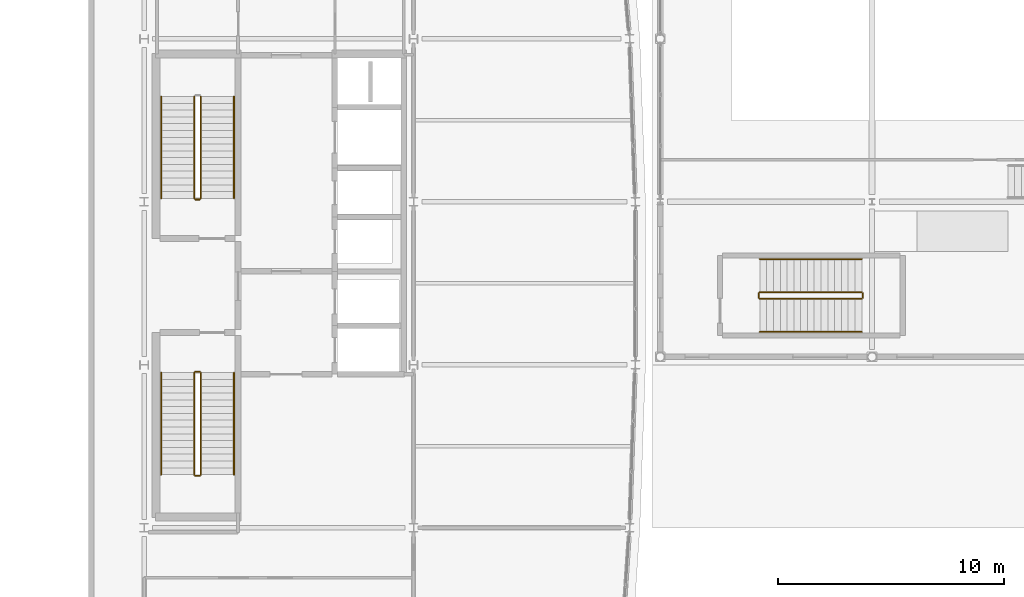
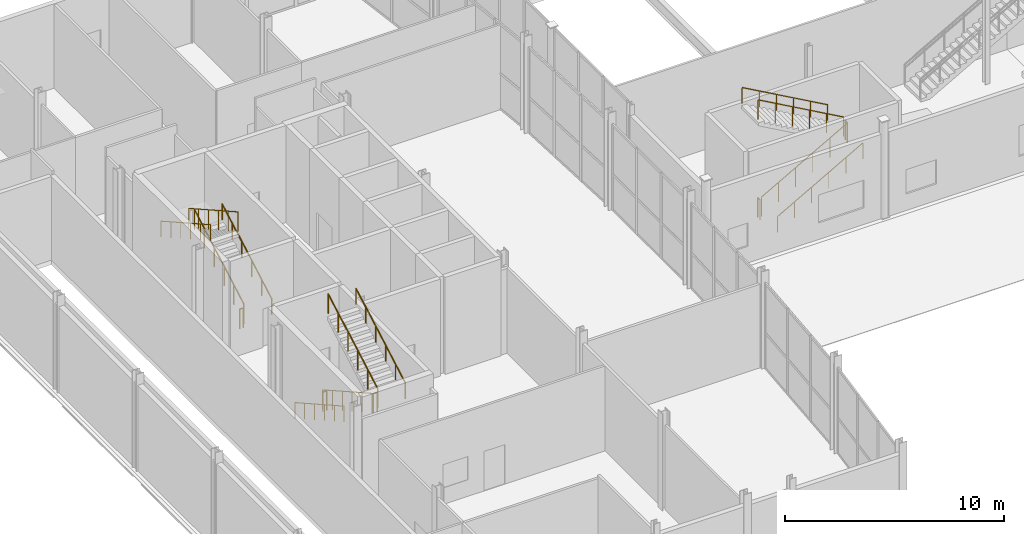
# One storey, part 79 of 83: 17 railings.
"""IFC4 building model written with IfcOpenShell, lengths in metres."""

from ifc_helpers import new_model, si_unit, direction, frame, origin, origin_2d, place, context, subcontext, project, spatial, circle, extrude, material, type_object, element, save


model = new_model("IFC4")

# Units and contexts
model_context = context("Model", 3, precision=1e-05, world=origin(), true_north=direction((0.0, 1.0)))
body_context = subcontext(model_context, "Body", "Model", "MODEL_VIEW")
ifc_project = project(units=[si_unit("LENGTHUNIT", "METRE"), si_unit("AREAUNIT", "SQUARE_METRE"), si_unit("VOLUMEUNIT", "CUBIC_METRE"), si_unit("PLANEANGLEUNIT", "RADIAN"), si_unit("MASSUNIT", "GRAM", prefix="KILO")], contexts=[model_context])

# Site, building, storey
site_placement = place(None, origin())
site = spatial("IfcSite", under=ifc_project, at=site_placement, CompositionType="ELEMENT")
building_placement = place(site_placement, origin())
building = spatial("IfcBuilding", under=site, at=building_placement, Name="Quillay Park Conservatory", CompositionType="ELEMENT")
storey_placement = place(building_placement, origin())
storey = spatial("IfcBuildingStorey", under=building, at=storey_placement, Name="L00", CompositionType="ELEMENT", Elevation=0.0)

# Railings
ifc_material_1 = material(Name="Steel S355J2H", Category="steel")
railing_type_1 = type_object("IfcRailingType", Name="STAIR WALL HANDRAIL 900", PredefinedType="HANDRAIL", material=ifc_material_1)
railing_1_placement = place(storey_placement, frame((11.820068359375, 92.550048828125, 0.168701171875)))
element("IfcRailing", 1, at=railing_1_placement, inside=storey, type_object=railing_type_1, Name="L00 ST-T1 stair handrail 1", PredefinedType="HANDRAIL", context=body_context, shape_type="SweptSolid", body=[
    extrude(circle(Radius=0.02392578125, at=origin_2d()), frame((0.0, 0.0, 0.8759765625), z_axis=(0.0, 0.871575537125, 0.490261239633), x_axis=(-1.0, 0.0, 0.0)), (0.0, 0.0, 1.0), 5.1630859375),
    extrude(circle(Radius=0.02099609375, at=origin_2d()), origin(), (0.0, 0.0, 1.0), 0.851806640625),
    extrude(circle(Radius=0.02099609375, at=origin_2d()), frame((0.0, 0.89990234375, 0.50634765625)), (0.0, 0.0, 1.0), 0.851806640625),
    extrude(circle(Radius=0.02099609375, at=origin_2d()), frame((0.0, 1.800048828125, 1.012451171875)), (0.0, 0.0, 1.0), 0.851806640625),
    extrude(circle(Radius=0.02099609375, at=origin_2d()), frame((0.0, 2.699951171875, 1.518798828125)), (0.0, 0.0, 1.0), 0.851806640625),
    extrude(circle(Radius=0.02099609375, at=origin_2d()), frame((0.0, 3.60009765625, 2.02490234375)), (0.0, 0.0, 1.0), 0.851806640625),
    extrude(circle(Radius=0.02099609375, at=origin_2d()), frame((0.0, 4.5, 2.53125)), (0.0, 0.0, 1.0), 0.851806640625),
])
for number, where, name in (
    (2, (8.60009765625, 97.050048828125, 2.86865234375), "L00 ST-T1 stair handrail 2"),
    (3, (8.60009765625, 84.85009765625, 0.168701171875), "L00 ST-T2 stair handrail 1"),
):
    element("IfcRailing", number, at=place(storey_placement, frame(where)), inside=storey, type_object=railing_type_1, Name=name, PredefinedType="HANDRAIL", context=body_context, shape_type="SweptSolid", body=[
        extrude(circle(Radius=0.02392578125, at=origin_2d()), frame((0.0, 0.0, 0.8759765625), z_axis=(0.0, -0.871575537125, 0.490261239633), x_axis=(1.0, 0.0, 0.0)), (0.0, 0.0, 1.0), 5.1630859375),
        extrude(circle(Radius=0.02099609375, at=origin_2d()), origin(), (0.0, 0.0, 1.0), 0.851806640625),
        extrude(circle(Radius=0.02099609375, at=origin_2d()), frame((0.0, -0.89990234375, 0.50634765625)), (0.0, 0.0, 1.0), 0.851806640625),
        extrude(circle(Radius=0.02099609375, at=origin_2d()), frame((0.0, -1.800048828125, 1.012451171875)), (0.0, 0.0, 1.0), 0.851806640625),
        extrude(circle(Radius=0.02099609375, at=origin_2d()), frame((0.0, -2.699951171875, 1.518798828125)), (0.0, 0.0, 1.0), 0.851806640625),
        extrude(circle(Radius=0.02099609375, at=origin_2d()), frame((0.0, -3.60009765625, 2.02490234375)), (0.0, 0.0, 1.0), 0.851806640625),
        extrude(circle(Radius=0.02099609375, at=origin_2d()), frame((0.0, -4.5, 2.53125)), (0.0, 0.0, 1.0), 0.851806640625),
    ])
railing_2_placement = place(storey_placement, frame((11.820068359375, 80.35009765625, 2.86865234375)))
element("IfcRailing", 4, at=railing_2_placement, inside=storey, type_object=railing_type_1, Name="L00 ST-T2 stair handrail 2", PredefinedType="HANDRAIL", context=body_context, shape_type="SweptSolid", body=[
    extrude(circle(Radius=0.02392578125, at=origin_2d()), frame((0.0, 0.0, 0.8759765625), z_axis=(0.0, 0.871575537125, 0.490261239633), x_axis=(-1.0, 0.0, 0.0)), (0.0, 0.0, 1.0), 5.1630859375),
    extrude(circle(Radius=0.02099609375, at=origin_2d()), origin(), (0.0, 0.0, 1.0), 0.851806640625),
    extrude(circle(Radius=0.02099609375, at=origin_2d()), frame((0.0, 0.89990234375, 0.50634765625)), (0.0, 0.0, 1.0), 0.851806640625),
    extrude(circle(Radius=0.02099609375, at=origin_2d()), frame((0.0, 1.800048828125, 1.012451171875)), (0.0, 0.0, 1.0), 0.851806640625),
    extrude(circle(Radius=0.02099609375, at=origin_2d()), frame((0.0, 2.699951171875, 1.518798828125)), (0.0, 0.0, 1.0), 0.851806640625),
    extrude(circle(Radius=0.02099609375, at=origin_2d()), frame((0.0, 3.60009765625, 2.02490234375)), (0.0, 0.0, 1.0), 0.851806640625),
    extrude(circle(Radius=0.02099609375, at=origin_2d()), frame((0.0, 4.5, 2.53125)), (0.0, 0.0, 1.0), 0.851806640625),
])
railing_3_placement = place(storey_placement, frame((35.050048828125, 86.64990234375, 0.168701171875)))
element("IfcRailing", 5, at=railing_3_placement, inside=storey, type_object=railing_type_1, Name="L00 ST-C1 stair handrail 1", PredefinedType="HANDRAIL", context=body_context, shape_type="SweptSolid", body=[
    extrude(circle(Radius=0.02392578125, at=origin_2d()), frame((0.0, 0.0, 0.8759765625), z_axis=(0.871575537125, 0.0, 0.490261239633), x_axis=(0.0, 1.0, 0.0)), (0.0, 0.0, 1.0), 5.1630859375),
    extrude(circle(Radius=0.02099609375, at=origin_2d()), origin(), (0.0, 0.0, 1.0), 0.851806640625),
    extrude(circle(Radius=0.02099609375, at=origin_2d()), frame((0.89990234375, 0.0, 0.50634765625)), (0.0, 0.0, 1.0), 0.851806640625),
    extrude(circle(Radius=0.02099609375, at=origin_2d()), frame((1.800048828125, 0.0, 1.012451171875)), (0.0, 0.0, 1.0), 0.851806640625),
    extrude(circle(Radius=0.02099609375, at=origin_2d()), frame((2.699951171875, 0.0, 1.518798828125)), (0.0, 0.0, 1.0), 0.851806640625),
    extrude(circle(Radius=0.02099609375, at=origin_2d()), frame((3.60009765625, 0.0, 2.02490234375)), (0.0, 0.0, 1.0), 0.851806640625),
    extrude(circle(Radius=0.02099609375, at=origin_2d()), frame((4.5, 0.0, 2.53125)), (0.0, 0.0, 1.0), 0.851806640625),
])
railing_4_placement = place(storey_placement, frame((39.550048828125, 89.8701171875, 2.86865234375)))
element("IfcRailing", 6, at=railing_4_placement, inside=storey, type_object=railing_type_1, Name="L00 ST-C1 stair handrail 2", PredefinedType="HANDRAIL", context=body_context, shape_type="SweptSolid", body=[
    extrude(circle(Radius=0.02392578125, at=origin_2d()), frame((0.0, 0.0, 0.8759765625), z_axis=(-0.871575537125, 0.0, 0.490261239633), x_axis=(0.0, -1.0, 0.0)), (0.0, 0.0, 1.0), 5.1630859375),
    extrude(circle(Radius=0.02099609375, at=origin_2d()), origin(), (0.0, 0.0, 1.0), 0.851806640625),
    extrude(circle(Radius=0.02099609375, at=origin_2d()), frame((-0.89990234375, 0.0, 0.50634765625)), (0.0, 0.0, 1.0), 0.851806640625),
    extrude(circle(Radius=0.02099609375, at=origin_2d()), frame((-1.800048828125, 0.0, 1.012451171875)), (0.0, 0.0, 1.0), 0.851806640625),
    extrude(circle(Radius=0.02099609375, at=origin_2d()), frame((-2.699951171875, 0.0, 1.518798828125)), (0.0, 0.0, 1.0), 0.851806640625),
    extrude(circle(Radius=0.02099609375, at=origin_2d()), frame((-3.60009765625, 0.0, 2.02490234375)), (0.0, 0.0, 1.0), 0.851806640625),
    extrude(circle(Radius=0.02099609375, at=origin_2d()), frame((-4.5, 0.0, 2.53125)), (0.0, 0.0, 1.0), 0.851806640625),
])
ifc_material_2 = material(Name="Steel S355J2H", Category="steel")
railing_type_2 = type_object("IfcRailingType", Name="STAIR WELL GUARDRAIL 1100", PredefinedType="GUARDRAIL", material=ifc_material_2)
railing_5_placement = place(storey_placement, frame((10.360107421875, 92.550048828125, 0.168701171875)))
element("IfcRailing", 7, at=railing_5_placement, inside=storey, type_object=railing_type_2, Name="L00 ST-T1 stair guard 1", PredefinedType="GUARDRAIL", context=body_context, shape_type="SweptSolid", body=[
    extrude(circle(Radius=0.02392578125, at=origin_2d()), frame((0.0, 0.0, 1.076171875), z_axis=(0.0, 0.871575537125, 0.490261239633), x_axis=(-1.0, 0.0, 0.0)), (0.0, 0.0, 1.0), 5.1630859375),
    extrude(circle(Radius=0.02099609375, at=origin_2d()), origin(), (0.0, 0.0, 1.0), 1.052001953125),
    extrude(circle(Radius=0.02099609375, at=origin_2d()), frame((0.0, 0.89990234375, 0.50634765625)), (0.0, 0.0, 1.0), 1.052001953125),
    extrude(circle(Radius=0.02099609375, at=origin_2d()), frame((0.0, 1.800048828125, 1.012451171875)), (0.0, 0.0, 1.0), 1.052001953125),
    extrude(circle(Radius=0.02099609375, at=origin_2d()), frame((0.0, 2.699951171875, 1.518798828125)), (0.0, 0.0, 1.0), 1.052001953125),
    extrude(circle(Radius=0.02099609375, at=origin_2d()), frame((0.0, 3.60009765625, 2.02490234375)), (0.0, 0.0, 1.0), 1.052001953125),
    extrude(circle(Radius=0.02099609375, at=origin_2d()), frame((0.0, 4.5, 2.53125)), (0.0, 0.0, 1.0), 1.052001953125),
])
railing_6_placement = place(storey_placement, frame((10.06005859375, 97.050048828125, 2.86865234375)))
element("IfcRailing", 8, at=railing_6_placement, inside=storey, type_object=railing_type_2, Name="L00 ST-T1 stair guard 3", PredefinedType="GUARDRAIL", context=body_context, shape_type="SweptSolid", body=[
    extrude(circle(Radius=0.02392578125, at=origin_2d()), frame((0.0, 0.0, 1.076171875), z_axis=(0.0, -0.871575537125, 0.490261239633), x_axis=(1.0, 0.0, 0.0)), (0.0, 0.0, 1.0), 5.1630859375),
    extrude(circle(Radius=0.02099609375, at=origin_2d()), origin(), (0.0, 0.0, 1.0), 1.052001953125),
    extrude(circle(Radius=0.02099609375, at=origin_2d()), frame((0.0, -0.89990234375, 0.50634765625)), (0.0, 0.0, 1.0), 1.052001953125),
    extrude(circle(Radius=0.02099609375, at=origin_2d()), frame((0.0, -1.800048828125, 1.012451171875)), (0.0, 0.0, 1.0), 1.052001953125),
    extrude(circle(Radius=0.02099609375, at=origin_2d()), frame((0.0, -2.699951171875, 1.518798828125)), (0.0, 0.0, 1.0), 1.052001953125),
    extrude(circle(Radius=0.02099609375, at=origin_2d()), frame((0.0, -3.60009765625, 2.02490234375)), (0.0, 0.0, 1.0), 1.052001953125),
    extrude(circle(Radius=0.02099609375, at=origin_2d()), frame((0.0, -4.5, 2.53125)), (0.0, 0.0, 1.0), 1.052001953125),
])
railing_7_placement = place(storey_placement, frame((10.31005859375, 92.5, 0.0)))
element("IfcRailing", 9, at=railing_7_placement, inside=storey, type_object=railing_type_2, Name="L00 ST-T1 stair guard 4", PredefinedType="GUARDRAIL", context=body_context, shape_type="SweptSolid", body=[
    extrude(circle(Radius=0.02392578125, at=origin_2d()), frame((0.0, 0.0, 1.076171875), z_axis=(-1.0, 0.0, 0.0), x_axis=(0.0, -1.0, 0.0)), (0.0, 0.0, 1.0), 0.199951171875),
    extrude(circle(Radius=0.02099609375, at=origin_2d()), origin(), (0.0, 0.0, 1.0), 1.052001953125),
    extrude(circle(Radius=0.02099609375, at=origin_2d()), frame((-0.199951171875, 0.0, 0.0)), (0.0, 0.0, 1.0), 1.052001953125),
])
railing_8_placement = place(storey_placement, frame((10.06005859375, 84.85009765625, 0.168701171875)))
element("IfcRailing", 10, at=railing_8_placement, inside=storey, type_object=railing_type_2, Name="L00 ST-T2 stair guard 1", PredefinedType="GUARDRAIL", context=body_context, shape_type="SweptSolid", body=[
    extrude(circle(Radius=0.02392578125, at=origin_2d()), frame((0.0, 0.0, 1.076171875), z_axis=(0.0, -0.871575537125, 0.490261239633), x_axis=(1.0, 0.0, 0.0)), (0.0, 0.0, 1.0), 5.1630859375),
    extrude(circle(Radius=0.02099609375, at=origin_2d()), origin(), (0.0, 0.0, 1.0), 1.052001953125),
    extrude(circle(Radius=0.02099609375, at=origin_2d()), frame((0.0, -0.89990234375, 0.50634765625)), (0.0, 0.0, 1.0), 1.052001953125),
    extrude(circle(Radius=0.02099609375, at=origin_2d()), frame((0.0, -1.800048828125, 1.012451171875)), (0.0, 0.0, 1.0), 1.052001953125),
    extrude(circle(Radius=0.02099609375, at=origin_2d()), frame((0.0, -2.699951171875, 1.518798828125)), (0.0, 0.0, 1.0), 1.052001953125),
    extrude(circle(Radius=0.02099609375, at=origin_2d()), frame((0.0, -3.60009765625, 2.02490234375)), (0.0, 0.0, 1.0), 1.052001953125),
    extrude(circle(Radius=0.02099609375, at=origin_2d()), frame((0.0, -4.5, 2.53125)), (0.0, 0.0, 1.0), 1.052001953125),
])
railing_9_placement = place(storey_placement, frame((10.110107421875, 80.300048828125, 2.699951171875)))
element("IfcRailing", 11, at=railing_9_placement, inside=storey, type_object=railing_type_2, Name="L00 ST-T2 stair guard 2", PredefinedType="GUARDRAIL", context=body_context, shape_type="SweptSolid", body=[
    extrude(circle(Radius=0.02392578125, at=origin_2d()), frame((0.0, 0.0, 1.076171875), z_axis=(1.0, 0.0, 0.0), x_axis=(0.0, 1.0, 0.0)), (0.0, 0.0, 1.0), 0.199951171875),
    extrude(circle(Radius=0.02099609375, at=origin_2d()), origin(), (0.0, 0.0, 1.0), 1.052001953125),
    extrude(circle(Radius=0.02099609375, at=origin_2d()), frame((0.199951171875, 0.0, 0.0)), (0.0, 0.0, 1.0), 1.052001953125),
])
railing_10_placement = place(storey_placement, frame((10.360107421875, 80.35009765625, 2.86865234375)))
element("IfcRailing", 12, at=railing_10_placement, inside=storey, type_object=railing_type_2, Name="L00 ST-T2 stair guard 3", PredefinedType="GUARDRAIL", context=body_context, shape_type="SweptSolid", body=[
    extrude(circle(Radius=0.02392578125, at=origin_2d()), frame((0.0, 0.0, 1.076171875), z_axis=(0.0, 0.871575537125, 0.490261239633), x_axis=(-1.0, 0.0, 0.0)), (0.0, 0.0, 1.0), 5.1630859375),
    extrude(circle(Radius=0.02099609375, at=origin_2d()), origin(), (0.0, 0.0, 1.0), 1.052001953125),
    extrude(circle(Radius=0.02099609375, at=origin_2d()), frame((0.0, 0.89990234375, 0.50634765625)), (0.0, 0.0, 1.0), 1.052001953125),
    extrude(circle(Radius=0.02099609375, at=origin_2d()), frame((0.0, 1.800048828125, 1.012451171875)), (0.0, 0.0, 1.0), 1.052001953125),
    extrude(circle(Radius=0.02099609375, at=origin_2d()), frame((0.0, 2.699951171875, 1.518798828125)), (0.0, 0.0, 1.0), 1.052001953125),
    extrude(circle(Radius=0.02099609375, at=origin_2d()), frame((0.0, 3.60009765625, 2.02490234375)), (0.0, 0.0, 1.0), 1.052001953125),
    extrude(circle(Radius=0.02099609375, at=origin_2d()), frame((0.0, 4.5, 2.53125)), (0.0, 0.0, 1.0), 1.052001953125),
])
railing_11_placement = place(storey_placement, frame((10.110107421875, 84.89990234375, 0.0)))
element("IfcRailing", 13, at=railing_11_placement, inside=storey, type_object=railing_type_2, Name="L00 ST-T2 stair guard 4", PredefinedType="GUARDRAIL", context=body_context, shape_type="SweptSolid", body=[
    extrude(circle(Radius=0.02392578125, at=origin_2d()), frame((0.0, 0.0, 1.076171875), z_axis=(1.0, 0.0, 0.0), x_axis=(0.0, 1.0, 0.0)), (0.0, 0.0, 1.0), 0.199951171875),
    extrude(circle(Radius=0.02099609375, at=origin_2d()), origin(), (0.0, 0.0, 1.0), 1.052001953125),
    extrude(circle(Radius=0.02099609375, at=origin_2d()), frame((0.199951171875, 0.0, 0.0)), (0.0, 0.0, 1.0), 1.052001953125),
])
railing_12_placement = place(storey_placement, frame((35.050048828125, 88.110107421875, 0.168701171875)))
element("IfcRailing", 14, at=railing_12_placement, inside=storey, type_object=railing_type_2, Name="L00 ST-C1 stair guard 1", PredefinedType="GUARDRAIL", context=body_context, shape_type="SweptSolid", body=[
    extrude(circle(Radius=0.02392578125, at=origin_2d()), frame((0.0, 0.0, 1.076171875), z_axis=(0.871575537125, 0.0, 0.490261239633), x_axis=(0.0, 1.0, 0.0)), (0.0, 0.0, 1.0), 5.1630859375),
    extrude(circle(Radius=0.02099609375, at=origin_2d()), origin(), (0.0, 0.0, 1.0), 1.052001953125),
    extrude(circle(Radius=0.02099609375, at=origin_2d()), frame((0.89990234375, 0.0, 0.50634765625)), (0.0, 0.0, 1.0), 1.052001953125),
    extrude(circle(Radius=0.02099609375, at=origin_2d()), frame((1.800048828125, 0.0, 1.012451171875)), (0.0, 0.0, 1.0), 1.052001953125),
    extrude(circle(Radius=0.02099609375, at=origin_2d()), frame((2.699951171875, 0.0, 1.518798828125)), (0.0, 0.0, 1.0), 1.052001953125),
    extrude(circle(Radius=0.02099609375, at=origin_2d()), frame((3.60009765625, 0.0, 2.02490234375)), (0.0, 0.0, 1.0), 1.052001953125),
    extrude(circle(Radius=0.02099609375, at=origin_2d()), frame((4.5, 0.0, 2.53125)), (0.0, 0.0, 1.0), 1.052001953125),
])
railing_13_placement = place(storey_placement, frame((39.60009765625, 88.159912109375, 2.699951171875)))
element("IfcRailing", 15, at=railing_13_placement, inside=storey, type_object=railing_type_2, Name="L00 ST-C1 stair guard 2", PredefinedType="GUARDRAIL", context=body_context, shape_type="SweptSolid", body=[
    extrude(circle(Radius=0.02392578125, at=origin_2d()), frame((0.0, 0.0, 1.076171875), z_axis=(0.0, 1.0, 0.0), x_axis=(-1.0, 0.0, 0.0)), (0.0, 0.0, 1.0), 0.2001953125),
    extrude(circle(Radius=0.02099609375, at=origin_2d()), origin(), (0.0, 0.0, 1.0), 1.052001953125),
    extrude(circle(Radius=0.02099609375, at=origin_2d()), frame((0.0, 0.2001953125, 0.0)), (0.0, 0.0, 1.0), 1.052001953125),
])
railing_14_placement = place(storey_placement, frame((39.550048828125, 88.409912109375, 2.86865234375)))
element("IfcRailing", 16, at=railing_14_placement, inside=storey, type_object=railing_type_2, Name="L00 ST-C1 stair guard 3", PredefinedType="GUARDRAIL", context=body_context, shape_type="SweptSolid", body=[
    extrude(circle(Radius=0.02392578125, at=origin_2d()), frame((0.0, 0.0, 1.076171875), z_axis=(-0.871575537125, 0.0, 0.490261239633), x_axis=(0.0, -1.0, 0.0)), (0.0, 0.0, 1.0), 5.1630859375),
    extrude(circle(Radius=0.02099609375, at=origin_2d()), origin(), (0.0, 0.0, 1.0), 1.052001953125),
    extrude(circle(Radius=0.02099609375, at=origin_2d()), frame((-0.89990234375, 0.0, 0.50634765625)), (0.0, 0.0, 1.0), 1.052001953125),
    extrude(circle(Radius=0.02099609375, at=origin_2d()), frame((-1.800048828125, 0.0, 1.012451171875)), (0.0, 0.0, 1.0), 1.052001953125),
    extrude(circle(Radius=0.02099609375, at=origin_2d()), frame((-2.699951171875, 0.0, 1.518798828125)), (0.0, 0.0, 1.0), 1.052001953125),
    extrude(circle(Radius=0.02099609375, at=origin_2d()), frame((-3.60009765625, 0.0, 2.02490234375)), (0.0, 0.0, 1.0), 1.052001953125),
    extrude(circle(Radius=0.02099609375, at=origin_2d()), frame((-4.5, 0.0, 2.53125)), (0.0, 0.0, 1.0), 1.052001953125),
])
railing_15_placement = place(storey_placement, frame((35.0, 88.159912109375, 0.0)))
element("IfcRailing", 17, at=railing_15_placement, inside=storey, type_object=railing_type_2, Name="L00 ST-C1 stair guard 4", PredefinedType="GUARDRAIL", context=body_context, shape_type="SweptSolid", body=[
    extrude(circle(Radius=0.02392578125, at=origin_2d()), frame((0.0, 0.0, 1.076171875), z_axis=(0.0, 1.0, 0.0), x_axis=(-1.0, 0.0, 0.0)), (0.0, 0.0, 1.0), 0.2001953125),
    extrude(circle(Radius=0.02099609375, at=origin_2d()), origin(), (0.0, 0.0, 1.0), 1.052001953125),
    extrude(circle(Radius=0.02099609375, at=origin_2d()), frame((0.0, 0.2001953125, 0.0)), (0.0, 0.0, 1.0), 1.052001953125),
])

save(model, "model.ifc")
